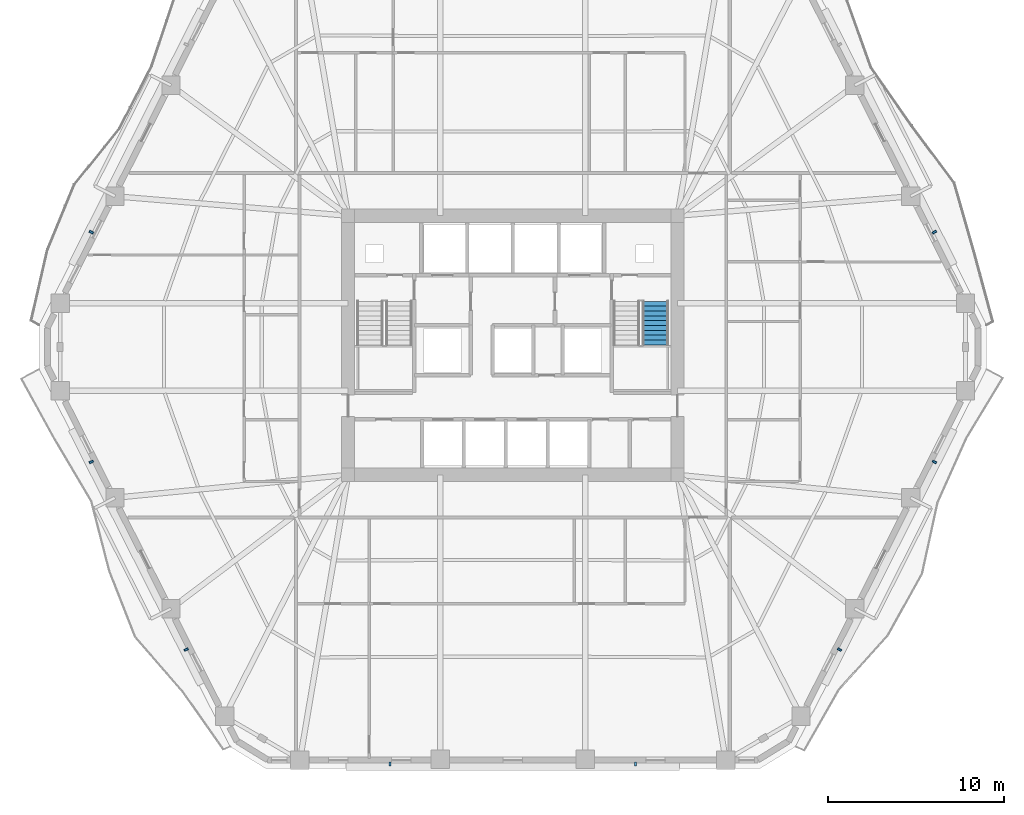
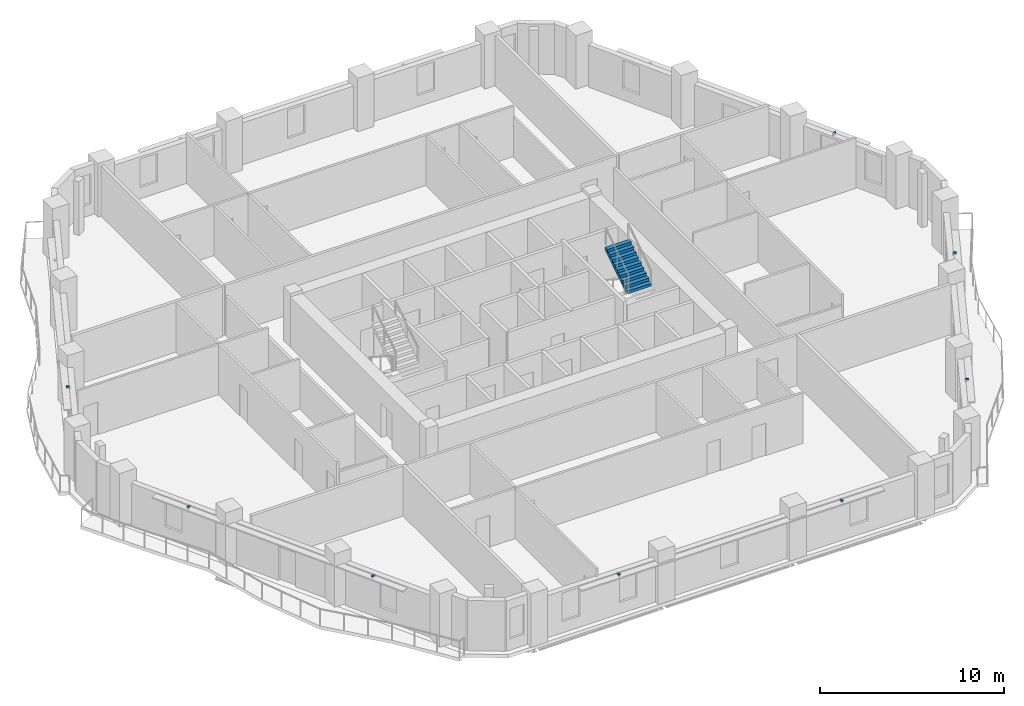
# One storey, part 8 of 13: 8 discrete accessories, 1 stair flight, 1 element without a shape of its own.
"""IFC4 building model written with IfcOpenShell, lengths in metres."""

from ifc_helpers import new_model, si_unit, direction, frame, origin, origin_2d, place, context, subcontext, project, spatial, polyline, rectangle, outline, extrude, material, type_object, element, aggregate, save


model = new_model("IFC4")

# Units and contexts
model_context = context("Model", 3, precision=1e-05, world=origin(), true_north=direction((0.0, 1.0)))
body_context = subcontext(model_context, "Body", "Model", "MODEL_VIEW")
ifc_project = project(units=[si_unit("LENGTHUNIT", "METRE"), si_unit("AREAUNIT", "SQUARE_METRE"), si_unit("VOLUMEUNIT", "CUBIC_METRE"), si_unit("PLANEANGLEUNIT", "RADIAN"), si_unit("MASSUNIT", "GRAM", prefix="KILO")], contexts=[model_context])

# Site, building, storey
site_placement = place(None, origin())
site = spatial("IfcSite", under=ifc_project, at=site_placement, CompositionType="ELEMENT")
building_placement = place(site_placement, origin())
building = spatial("IfcBuilding", under=site, at=building_placement, Name="Cinnabar Lancet Tower", CompositionType="ELEMENT")
storey_placement = place(building_placement, frame((0.0, 0.0, 83.550048828125)))
storey = spatial("IfcBuildingStorey", under=building, at=storey_placement, Name="L21", CompositionType="ELEMENT", Elevation=83.550048828125)

# Stair, stair flight
ifc_material_1 = material(Name="Concrete C40/50", Category="concrete")
stair_type = type_object("IfcStairType", Name="ST-CORE", PredefinedType="HALF_TURN_STAIR", material=ifc_material_1)
stair_placement = place(storey_placement, origin())
stair = element("IfcStair", 1, at=stair_placement, inside=storey, type_object=stair_type, Name="L21 ST-2", PredefinedType="HALF_TURN_STAIR")
ifc_material_2 = material(Name="Concrete C40/50", Category="concrete")
stair_flight_type = type_object("IfcStairFlightType", Name="FLIGHT-CORE", PredefinedType="STRAIGHT", material=ifc_material_2)
stair_flight_placement = place(storey_placement, frame((40.52490234375, 25.925048828125, 1.77490234375), z_axis=(0.0, 0.0, 1.0), x_axis=(0.0, 1.0, 0.0)))
stair_flight = element("IfcStairFlight", 2, at=stair_flight_placement, type_object=stair_flight_type, Name="ST-2 flight 2", NumberOfRisers=10, NumberOfTreads=9, PredefinedType="STRAIGHT", RiserHeight=0.1775, TreadLength=0.275, context=body_context, shape_type="SweptSolid", body=[
    extrude(outline(polyline([(0.0, 0.0), (0.0, 0.177490234375), (0.27490234375, 0.177490234375), (0.27490234375, 0.35498046875), (0.550048828125, 0.35498046875), (0.550048828125, 0.532470703125), (0.824951171875, 0.532470703125), (0.824951171875, 0.7099609375), (1.10009765625, 0.7099609375), (1.10009765625, 0.887451171875), (1.375, 0.887451171875), (1.375, 1.06494140625), (1.64990234375, 1.06494140625), (1.64990234375, 1.242431640625), (1.925048828125, 1.242431640625), (1.925048828125, 1.419921875), (2.199951171875, 1.419921875), (2.199951171875, 1.597412109375), (2.47509765625, 1.597412109375), (2.47509765625, 1.77490234375), (2.47509765625, 1.419189453125), (0.2763671875, 0.0), (0.0, 0.0)])), frame((0.0, 0.75, 0.0), z_axis=(0.0, -1.0, 0.0), x_axis=(1.0, 0.0, 0.0)), (0.0, 0.0, 1.0), 1.5),
])
aggregate(stair, [stair_flight])

# Discrete accessories
ifc_material_3 = material(Name="Stainless steel 316 facade fixing bracket", Category="steel")
discrete_accessory_type = type_object("IfcDiscreteAccessoryType", Name="ENV-ACC-BRK-180", PredefinedType="BRACKET", material=ifc_material_3)
for number, where, z_axis, x_axis, name in (
    (3, (25.4169921875, 2.06005859375, 2.60009765625), (0.0, 0.0, 1.0), (1.0, 0.0, 0.0), "L21 Face 1 Sunshade Bracket A"),
    (4, (39.383056640625, 2.06005859375, 2.60009765625), (0.0, 0.0, 1.0), (1.0, 0.0, 0.0), "L21 Face 1 Sunshade Bracket B"),
    (5, (50.993896484375, 8.5791015625, 2.60009765625), (0.0, 0.0, 1.0), (0.451500573218, 0.892270829056, 0.0), "L21 Face 2 Sunshade Bracket A"),
    (6, (56.39892578125, 19.260009765625, 2.60009765625), (0.0, 0.0, 1.0), (0.451500573218, 0.892270829056, 0.0), "L21 Face 2 Sunshade Bracket B"),
    (7, (56.39892578125, 32.340087890625, 2.60009765625), (0.0, 0.0, 1.0), (-0.451500573218, 0.892270829056, 0.0), "L21 Face 3 Sunshade Bracket A"),
    (8, (8.40087890625, 32.340087890625, 2.60009765625), (0.0, 0.0, 1.0), (-0.451500573218, -0.892270829056, 0.0), "L21 Face 5 Sunshade Bracket B"),
    (9, (8.40087890625, 19.260009765625, 2.60009765625), (0.0, 0.0, 1.0), (0.451500573218, -0.892270829056, 0.0), "L21 Face 6 Sunshade Bracket A"),
    (10, (13.805908203125, 8.5791015625, 2.60009765625), (0.0, 0.0, 1.0), (0.451500573218, -0.892270829056, 0.0), "L21 Face 6 Sunshade Bracket B"),
):
    element("IfcDiscreteAccessory", number, at=place(storey_placement, frame(where, z_axis=z_axis, x_axis=x_axis)), inside=storey, type_object=discrete_accessory_type, Name=name, PredefinedType="BRACKET", context=body_context, shape_type="SweptSolid", body=[
        extrude(rectangle(XDim=0.1201171875, YDim=0.239990234375, at=origin_2d()), origin(), (0.0, 0.0, 1.0), 0.159912109375),
    ])

save(model, "model.ifc")
